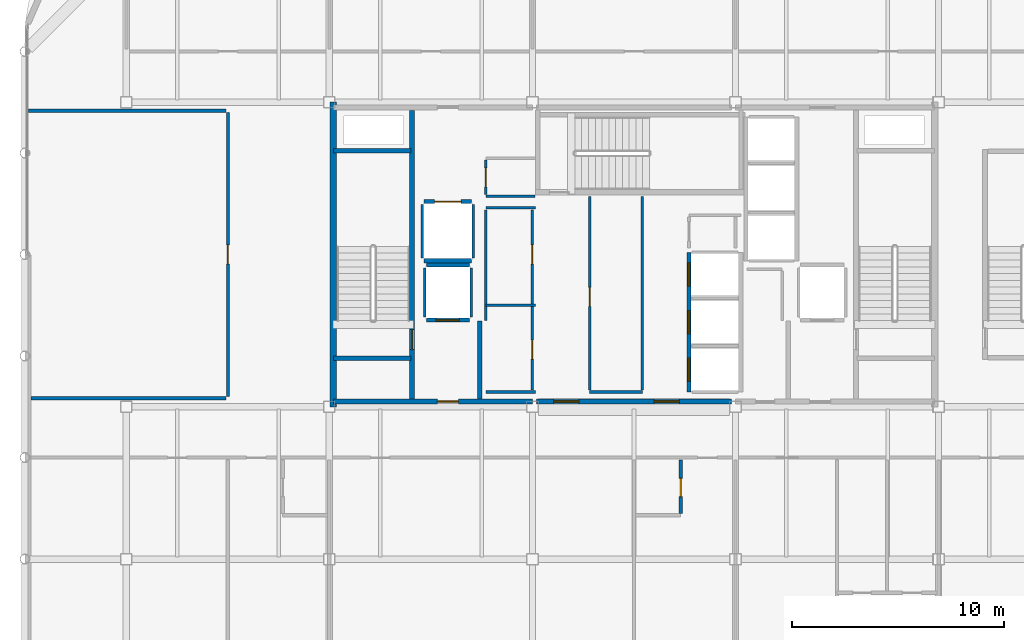
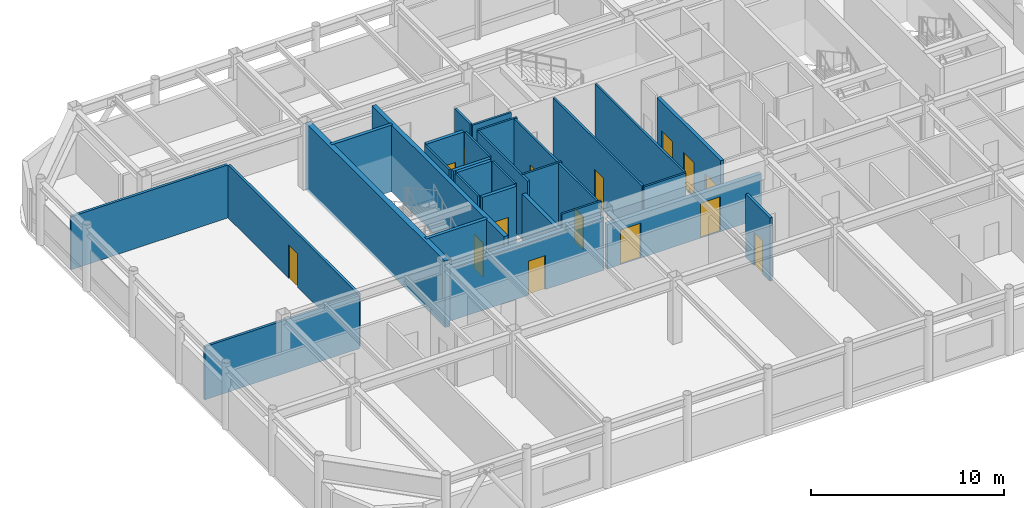
# One storey, part 17 of 21: 30 walls, 15 doors, 15 openings.
"""IFC4 building model written with IfcOpenShell, lengths in metres."""

from ifc_helpers import new_model, si_unit, direction, frame, frame_2d, origin, place, context, subcontext, project, spatial, rectangle, extrude, material, layer, layer_set, type_object, element, fill, save


model = new_model("IFC4")

# Units and contexts
model_context = context("Model", 3, precision=1e-05, world=origin(), true_north=direction((0.0, 1.0)))
body_context = subcontext(model_context, "Body", "Model", "MODEL_VIEW")
ifc_project = project(units=[si_unit("LENGTHUNIT", "METRE"), si_unit("AREAUNIT", "SQUARE_METRE"), si_unit("VOLUMEUNIT", "CUBIC_METRE"), si_unit("PLANEANGLEUNIT", "RADIAN"), si_unit("MASSUNIT", "GRAM", prefix="KILO")], contexts=[model_context])

# Site, building, storey
site_placement = place(None, origin())
site = spatial("IfcSite", under=ifc_project, at=site_placement, CompositionType="ELEMENT")
building_placement = place(site_placement, origin())
building = spatial("IfcBuilding", under=site, at=building_placement, Name="Kallvorn Hotel Tower", CompositionType="ELEMENT")
storey_placement = place(building_placement, frame((0.0, 0.0, 286.39990234375)))
storey = spatial("IfcBuildingStorey", under=building, at=storey_placement, Name="L71", CompositionType="ELEMENT", Elevation=286.39990234375)

# Wall
ifc_material_1 = material(Name="Concrete C50/60", Category="concrete")
ifc_layer_1 = layer(ifc_material_1, 0.300048828125)
ifc_layer_set_1 = layer_set([ifc_layer_1], Name="WL_CORE_300")
wall_type_1 = type_object("IfcWallType", Name="WL_CORE_300", PredefinedType="SHEAR", material=ifc_layer_set_1)
wall_1_placement = place(storey_placement, frame((-14.215087890625, -7.199951171875, -0.199951171875), z_axis=(0.0, 0.0, 1.0), x_axis=(0.0, 1.0, 0.0)))
element("IfcWall", 1, at=wall_1_placement, inside=storey, type_object=wall_type_1, Name="L71 Core West Shear Wall", PredefinedType="SHEAR", context=body_context, shape_type="SweptSolid", body=[
    extrude(rectangle(XDim=14.39990234375, YDim=0.300048828125, at=frame_2d((7.199951171875, 0.0))), origin(), (0.0, 0.0, 1.0), 4.199951171875),
])

# Wall, opening, door
ifc_material_2 = material(Name="Fire-rated double-layer acoustic gypsum drywall EI 60")
ifc_layer_2 = layer(ifc_material_2, 0.159912109375)
ifc_layer_set_2 = layer_set([ifc_layer_2], Name="WL_DEMISE_160")
wall_type_2 = type_object("IfcWallType", Name="WL_DEMISE_160", PredefinedType="PARTITIONING", material=ifc_layer_set_2)
wall_2_placement = place(storey_placement, frame((2.2099609375, -12.235107421875, 0.0), z_axis=(0.0, 0.0, 1.0), x_axis=(0.0, 1.0, 0.0)))
wall_2 = element("IfcWall", 2, at=wall_2_placement, inside=storey, type_object=wall_type_2, Name="L71 Suite 7102 Ambassador Twin Room Partition", PredefinedType="PARTITIONING", context=body_context, shape_type="SweptSolid", body=[
    extrude(rectangle(XDim=2.51513671875, YDim=0.159912109375, at=frame_2d((1.257568359375, 0.0))), origin(), (0.0, 0.0, 1.0), 4.0),
])
opening_1_placement = place(wall_2_placement, frame((0.784912109375, 0.0, 0.0)))
opening_1 = element("IfcOpeningElement", 3, at=opening_1_placement, cuts=wall_2, Name="Opening BD-I", PredefinedType="OPENING", context=body_context, shape_type="SweptSolid", body=[
    extrude(rectangle(XDim=0.860107421875, YDim=2.10009765625, at=frame_2d((0.43017578125, 1.050048828125))), frame((0.0, 0.094970703125, 0.0), z_axis=(0.0, -1.0, 0.0), x_axis=(1.0, 0.0, 0.0)), (0.0, 0.0, 1.0), 0.18994140625),
])
ifc_material_3 = material(Name="Solid-core walnut veneer fire-rated timber door leaf", Category="wood")
door_type_1 = type_object("IfcDoorType", Name="DR_BATH_860x2100", OperationType="NOTDEFINED", PredefinedType="DOOR", material=ifc_material_3)
door_1_placement = place(opening_1_placement, origin())
door_1 = element("IfcDoor", 4, at=door_1_placement, inside=storey, type_object=door_type_1, Name="L71 Suite 7102 En-Suite Bathroom Door", OperationType="SINGLE_SWING_RIGHT", OverallHeight=2.10009765625, OverallWidth=0.860107421875, PredefinedType="DOOR", context=body_context, shape_type="SweptSolid", body=[
    extrude(rectangle(XDim=0.860107421875, YDim=2.10009765625, at=frame_2d((0.43017578125, 1.050048828125))), frame((0.0, 0.02490234375, 0.0), z_axis=(0.0, -1.0, 0.0), x_axis=(1.0, 0.0, 0.0)), (0.0, 0.0, 1.0), 0.050048828125),
])
fill(opening_1, door_1)

# Walls
ifc_material_4 = material(Name="Concrete C40/50", Category="concrete")
ifc_layer_3 = layer(ifc_material_4, 0.219970703125)
ifc_layer_set_3 = layer_set([ifc_layer_3], Name="WL_FFL_220")
wall_type_3 = type_object("IfcWallType", Name="WL_FFL_220", PredefinedType="SOLIDWALL", material=ifc_layer_set_3)
wall_3_placement = place(storey_placement, frame((-7.300048828125, -6.820068359375, 0.0), z_axis=(0.0, 0.0, 1.0), x_axis=(0.0, 1.0, 0.0)))
element("IfcWall", 5, at=wall_3_placement, inside=storey, type_object=wall_type_3, Name="L71 Firefighting Lobby West Divider Wall", PredefinedType="SOLIDWALL", context=body_context, shape_type="SweptSolid", body=[
    extrude(rectangle(XDim=3.670166015625, YDim=0.219970703125, at=frame_2d((1.8349609375, 0.0))), origin(), (0.0, 0.0, 1.0), 3.35009765625),
])
ifc_material_5 = material(Name="Concrete C40/50", Category="concrete")
ifc_layer_4 = layer(ifc_material_5, 0.199951171875)
ifc_layer_set_4 = layer_set([ifc_layer_4], Name="WL_HOIST_200")
wall_type_4 = type_object("IfcWallType", Name="WL_HOIST_200", PredefinedType="SOLIDWALL", material=ifc_layer_set_4)
for number, where, z_axis, x_axis, name in (
    (6, (-14.199951171875, -4.89990234375, -0.199951171875), (0.0, 0.0, 1.0), (1.0, 0.0, 0.0), "L71 Stair ST1 South Wall"),
    (7, (-14.199951171875, 4.89990234375, -0.199951171875), (0.0, 0.0, 1.0), (1.0, 0.0, 0.0), "L71 Stair ST1 North Wall"),
):
    element("IfcWall", number, at=place(storey_placement, frame(where, z_axis=z_axis, x_axis=x_axis)), inside=storey, type_object=wall_type_4, Name=name, PredefinedType="SOLIDWALL", context=body_context, shape_type="SweptSolid", body=[
        extrude(rectangle(XDim=3.64990234375, YDim=0.199951171875, at=frame_2d((1.824951171875, 0.0))), origin(), (0.0, 0.0, 1.0), 4.199951171875),
    ])

# Wall, openings, doors
wall_4_placement = place(storey_placement, frame((2.60009765625, -6.5, 0.0), z_axis=(0.0, 0.0, 1.0), x_axis=(0.0, 1.0, 0.0)))
wall_4 = element("IfcWall", 8, at=wall_4_placement, inside=storey, type_object=wall_type_4, Name="L71 Lift Bank B3A Landing Wall", PredefinedType="SOLIDWALL", context=body_context, shape_type="SweptSolid", body=[
    extrude(rectangle(XDim=6.60009765625, YDim=0.199951171875, at=frame_2d((3.300048828125, 0.0))), origin(), (0.0, 0.0, 1.0), 4.0),
])
opening_2_placement = place(wall_4_placement, frame((0.5, 0.0, 0.0)))
opening_2 = element("IfcOpeningElement", 9, at=opening_2_placement, cuts=wall_4, Name="Opening LD-PL-09", PredefinedType="OPENING", context=body_context, shape_type="SweptSolid", body=[
    extrude(rectangle(XDim=1.10009765625, YDim=2.199951171875, at=frame_2d((0.550048828125, 1.10009765625))), frame((0.0, 0.114990234375, 0.0), z_axis=(0.0, -1.0, 0.0), x_axis=(1.0, 0.0, 0.0)), (0.0, 0.0, 1.0), 0.22998046875),
])
opening_3_placement = place(wall_4_placement, frame((2.75, 0.0, 0.0)))
opening_3 = element("IfcOpeningElement", 10, at=opening_3_placement, cuts=wall_4, Name="Opening LD-PL-10", PredefinedType="OPENING", context=body_context, shape_type="SweptSolid", body=[
    extrude(rectangle(XDim=1.10009765625, YDim=2.199951171875, at=frame_2d((0.550048828125, 1.10009765625))), frame((0.0, 0.114990234375, 0.0), z_axis=(0.0, -1.0, 0.0), x_axis=(1.0, 0.0, 0.0)), (0.0, 0.0, 1.0), 0.22998046875),
])
opening_4_placement = place(wall_4_placement, frame((5.0, 0.0, 0.0)))
opening_4 = element("IfcOpeningElement", 11, at=opening_4_placement, cuts=wall_4, Name="Opening LD-PL-11", PredefinedType="OPENING", context=body_context, shape_type="SweptSolid", body=[
    extrude(rectangle(XDim=1.10009765625, YDim=2.199951171875, at=frame_2d((0.550048828125, 1.10009765625))), frame((0.0, 0.114990234375, 0.0), z_axis=(0.0, -1.0, 0.0), x_axis=(1.0, 0.0, 0.0)), (0.0, 0.0, 1.0), 0.22998046875),
])
ifc_material_6 = material(Name="Brushed stainless-steel automatic sliding lift landing door", Category="steel")
door_type_2 = type_object("IfcDoorType", Name="LD_PASS_1100x2200", OperationType="SLIDING_TO_LEFT", PredefinedType="DOOR", material=ifc_material_6)
door_2_placement = place(opening_2_placement, origin())
door_2 = element("IfcDoor", 12, at=door_2_placement, inside=storey, type_object=door_type_2, Name="L71 Lift Landing Sliding Door LD-PL-09", OperationType="SLIDING_TO_LEFT", OverallHeight=2.199951171875, OverallWidth=1.10009765625, PredefinedType="DOOR", context=body_context, shape_type="SweptSolid", body=[
    extrude(rectangle(XDim=1.10009765625, YDim=2.199951171875, at=frame_2d((0.550048828125, 1.10009765625))), frame((0.0, 0.02490234375, 0.0), z_axis=(0.0, -1.0, 0.0), x_axis=(1.0, 0.0, 0.0)), (0.0, 0.0, 1.0), 0.050048828125),
])
fill(opening_2, door_2)
door_3_placement = place(opening_3_placement, origin())
door_3 = element("IfcDoor", 13, at=door_3_placement, inside=storey, type_object=door_type_2, Name="L71 Lift Landing Sliding Door LD-PL-10", OperationType="SLIDING_TO_LEFT", OverallHeight=2.199951171875, OverallWidth=1.10009765625, PredefinedType="DOOR", context=body_context, shape_type="SweptSolid", body=[
    extrude(rectangle(XDim=1.10009765625, YDim=2.199951171875, at=frame_2d((0.550048828125, 1.10009765625))), frame((0.0, 0.02490234375, 0.0), z_axis=(0.0, -1.0, 0.0), x_axis=(1.0, 0.0, 0.0)), (0.0, 0.0, 1.0), 0.050048828125),
])
fill(opening_3, door_3)
door_4_placement = place(opening_4_placement, origin())
door_4 = element("IfcDoor", 14, at=door_4_placement, inside=storey, type_object=door_type_2, Name="L71 Lift Landing Sliding Door LD-PL-11", OperationType="SLIDING_TO_LEFT", OverallHeight=2.199951171875, OverallWidth=1.10009765625, PredefinedType="DOOR", context=body_context, shape_type="SweptSolid", body=[
    extrude(rectangle(XDim=1.10009765625, YDim=2.199951171875, at=frame_2d((0.550048828125, 1.10009765625))), frame((0.0, 0.02490234375, 0.0), z_axis=(0.0, -1.0, 0.0), x_axis=(1.0, 0.0, 0.0)), (0.0, 0.0, 1.0), 0.050048828125),
])
fill(opening_4, door_4)

# Wall, opening, door
wall_5_placement = place(storey_placement, frame((-9.820068359375, -3.10009765625, 0.0), z_axis=(0.0, 0.0, 1.0), x_axis=(1.0, 0.0, 0.0)))
wall_5 = element("IfcWall", 15, at=wall_5_placement, inside=storey, type_object=wall_type_4, Name="L71 FL-1 Landing Wall", PredefinedType="SOLIDWALL", context=body_context, shape_type="SweptSolid", body=[
    extrude(rectangle(XDim=2.0400390625, YDim=0.199951171875, at=frame_2d((1.02001953125, 0.0))), origin(), (0.0, 0.0, 1.0), 4.0),
])
opening_5_placement = place(wall_5_placement, frame((0.469970703125, 0.0, 0.0)))
opening_5 = element("IfcOpeningElement", 16, at=opening_5_placement, cuts=wall_5, Name="Opening LD-FL-1", PredefinedType="OPENING", context=body_context, shape_type="SweptSolid", body=[
    extrude(rectangle(XDim=1.10009765625, YDim=2.199951171875, at=frame_2d((0.550048828125, 1.10009765625))), frame((0.0, 0.114990234375, 0.0), z_axis=(0.0, -1.0, 0.0), x_axis=(1.0, 0.0, 0.0)), (0.0, 0.0, 1.0), 0.22998046875),
])
door_5_placement = place(opening_5_placement, origin())
door_5 = element("IfcDoor", 17, at=door_5_placement, inside=storey, type_object=door_type_2, Name="L71 Lift Landing Sliding Door LD-FL-1", OperationType="SLIDING_TO_LEFT", OverallHeight=2.199951171875, OverallWidth=1.10009765625, PredefinedType="DOOR", context=body_context, shape_type="SweptSolid", body=[
    extrude(rectangle(XDim=1.10009765625, YDim=2.199951171875, at=frame_2d((0.550048828125, 1.10009765625))), frame((0.0, 0.02490234375, 0.0), z_axis=(0.0, -1.0, 0.0), x_axis=(1.0, 0.0, 0.0)), (0.0, 0.0, 1.0), 0.050048828125),
])
fill(opening_5, door_5)

# Wall
wall_6_placement = place(storey_placement, frame((-9.820068359375, -0.5, 0.0), z_axis=(0.0, 0.0, 1.0), x_axis=(1.0, 0.0, 0.0)))
element("IfcWall", 18, at=wall_6_placement, inside=storey, type_object=wall_type_4, Name="L71 FL-1 Rear Shaft Wall", PredefinedType="SOLIDWALL", context=body_context, shape_type="SweptSolid", body=[
    extrude(rectangle(XDim=2.0400390625, YDim=0.199951171875, at=frame_2d((1.02001953125, 0.0))), origin(), (0.0, 0.0, 1.0), 4.0),
])

# Wall, opening, door
wall_7_placement = place(storey_placement, frame((-9.919921875, 2.5, 0.0), z_axis=(0.0, 0.0, 1.0), x_axis=(1.0, 0.0, 0.0)))
wall_7 = element("IfcWall", 19, at=wall_7_placement, inside=storey, type_object=wall_type_4, Name="L71 SV-01 Landing Wall", PredefinedType="SOLIDWALL", context=body_context, shape_type="SweptSolid", body=[
    extrude(rectangle(XDim=2.239990234375, YDim=0.199951171875, at=frame_2d((1.1201171875, 0.0))), origin(), (0.0, 0.0, 1.0), 4.0),
])
opening_6_placement = place(wall_7_placement, frame((0.4951171875, 0.0, 0.0)))
opening_6 = element("IfcOpeningElement", 20, at=opening_6_placement, cuts=wall_7, Name="Opening LD-SV-01", PredefinedType="OPENING", context=body_context, shape_type="SweptSolid", body=[
    extrude(rectangle(XDim=1.25, YDim=2.25, at=frame_2d((0.625, 1.125))), frame((0.0, 0.114990234375, 0.0), z_axis=(0.0, -1.0, 0.0), x_axis=(1.0, 0.0, 0.0)), (0.0, 0.0, 1.0), 0.22998046875),
])
ifc_material_7 = material(Name="Brushed stainless-steel automatic sliding lift landing door", Category="steel")
door_type_3 = type_object("IfcDoorType", Name="LD_SERV_1250x2250", OperationType="SLIDING_TO_LEFT", PredefinedType="DOOR", material=ifc_material_7)
door_6_placement = place(opening_6_placement, origin())
door_6 = element("IfcDoor", 21, at=door_6_placement, inside=storey, type_object=door_type_3, Name="L71 Lift Landing Sliding Door LD-SV-01", OperationType="SLIDING_TO_LEFT", OverallHeight=2.25, OverallWidth=1.25, PredefinedType="DOOR", context=body_context, shape_type="SweptSolid", body=[
    extrude(rectangle(XDim=1.25, YDim=2.25, at=frame_2d((0.625, 1.125))), frame((0.0, 0.02490234375, 0.0), z_axis=(0.0, -1.0, 0.0), x_axis=(1.0, 0.0, 0.0)), (0.0, 0.0, 1.0), 0.050048828125),
])
fill(opening_6, door_6)

# Walls
wall_8_placement = place(storey_placement, frame((-9.919921875, -0.300048828125, 0.0), z_axis=(0.0, 0.0, 1.0), x_axis=(1.0, 0.0, 0.0)))
element("IfcWall", 22, at=wall_8_placement, inside=storey, type_object=wall_type_4, Name="L71 SV-01 Rear Shaft Wall", PredefinedType="SOLIDWALL", context=body_context, shape_type="SweptSolid", body=[
    extrude(rectangle(XDim=2.239990234375, YDim=0.199951171875, at=frame_2d((1.1201171875, 0.0))), origin(), (0.0, 0.0, 1.0), 4.0),
])
ifc_material_8 = material(Name="Fire-rated double-layer acoustic gypsum drywall EI 60")
ifc_layer_5 = layer(ifc_material_8, 0.1201171875)
ifc_layer_set_5 = layer_set([ifc_layer_5], Name="WL_INT_120")
wall_type_5 = type_object("IfcWallType", Name="WL_INT_120", PredefinedType="PARTITIONING", material=ifc_layer_set_5)
for number, where, z_axis, x_axis, name in (
    (23, (-9.89990234375, -2.9599609375, 0.0), (0.0, 0.0, 1.0), (0.0, 1.0, 0.0), "L71 FL-1 West Shaft Wall"),
    (24, (-7.699951171875, -2.9599609375, 0.0), (0.0, 0.0, 1.0), (0.0, 1.0, 0.0), "L71 FL-1 East Shaft Wall"),
):
    element("IfcWall", number, at=place(storey_placement, frame(where, z_axis=z_axis, x_axis=x_axis)), inside=storey, type_object=wall_type_5, Name=name, PredefinedType="PARTITIONING", context=body_context, shape_type="SweptSolid", body=[
        extrude(rectangle(XDim=2.320068359375, YDim=0.1201171875, at=frame_2d((1.16015625, 0.0))), origin(), (0.0, 0.0, 1.0), 4.0),
    ])
for number, where, z_axis, x_axis, name in (
    (25, (-10.0, -0.159912109375, 0.0), (0.0, 0.0, 1.0), (0.0, 1.0, 0.0), "L71 SV-01 West Shaft Wall"),
    (26, (-7.60009765625, -0.159912109375, 0.0), (0.0, 0.0, 1.0), (0.0, 1.0, 0.0), "L71 SV-01 East Shaft Wall"),
):
    element("IfcWall", number, at=place(storey_placement, frame(where, z_axis=z_axis, x_axis=x_axis)), inside=storey, type_object=wall_type_5, Name=name, PredefinedType="PARTITIONING", context=body_context, shape_type="SweptSolid", body=[
        extrude(rectangle(XDim=2.52001953125, YDim=0.1201171875, at=frame_2d((1.260009765625, 0.0))), origin(), (0.0, 0.0, 1.0), 4.0),
    ])
wall_9_placement = place(storey_placement, frame((-7.0, -6.5, 0.0), z_axis=(0.0, 0.0, 1.0), x_axis=(1.0, 0.0, 0.0)))
element("IfcWall", 27, at=wall_9_placement, inside=storey, type_object=wall_type_5, Name="L71 Recaptured South Minibar Pantry Partition", PredefinedType="PARTITIONING", context=body_context, shape_type="SweptSolid", body=[
    extrude(rectangle(XDim=2.35009765625, YDim=0.1201171875, at=frame_2d((1.175048828125, 0.0))), origin(), (0.0, 0.0, 1.0), 4.0),
])
wall_10_placement = place(storey_placement, frame((-2.10009765625, -6.5, 0.0), z_axis=(0.0, 0.0, 1.0), x_axis=(1.0, 0.0, 0.0)))
element("IfcWall", 28, at=wall_10_placement, inside=storey, type_object=wall_type_5, Name="L71 Altitude Executive Pantry and Ice Room Partition", PredefinedType="PARTITIONING", context=body_context, shape_type="SweptSolid", body=[
    extrude(rectangle(XDim=2.5, YDim=0.1201171875, at=frame_2d((1.25, 0.0))), origin(), (0.0, 0.0, 1.0), 4.0),
])
for number, where, z_axis, x_axis, name in (
    (29, (-7.0, -2.39990234375, 0.0), (0.0, 0.0, 1.0), (1.0, 0.0, 0.0), "L71 Recaptured Central Linen Store Partition"),
    (30, (-7.0, 2.199951171875, 0.0), (0.0, 0.0, 1.0), (1.0, 0.0, 0.0), "L71 Recaptured Central Linen Store Partition"),
):
    element("IfcWall", number, at=place(storey_placement, frame(where, z_axis=z_axis, x_axis=x_axis)), inside=storey, type_object=wall_type_5, Name=name, PredefinedType="PARTITIONING", context=body_context, shape_type="SweptSolid", body=[
        extrude(rectangle(XDim=2.35009765625, YDim=0.1201171875, at=frame_2d((1.175048828125, 0.0))), origin(), (0.0, 0.0, 1.0), 4.0),
    ])
wall_11_placement = place(storey_placement, frame((-7.0, 2.75, 0.0), z_axis=(0.0, 0.0, 1.0), x_axis=(1.0, 0.0, 0.0)))
element("IfcWall", 31, at=wall_11_placement, inside=storey, type_object=wall_type_5, Name="L71 Recaptured North Valet Closet Partition", PredefinedType="PARTITIONING", context=body_context, shape_type="SweptSolid", body=[
    extrude(rectangle(XDim=2.31005859375, YDim=0.1201171875, at=frame_2d((1.155029296875, 0.0))), origin(), (0.0, 0.0, 1.0), 4.0),
])
wall_12_placement = place(storey_placement, frame((-7.0, -3.110107421875, 0.0), z_axis=(0.0, 0.0, 1.0), x_axis=(0.0, 1.0, 0.0)))
element("IfcWall", 32, at=wall_12_placement, inside=storey, type_object=wall_type_5, Name="L71 Recaptured South Minibar Pantry Partition", PredefinedType="PARTITIONING", context=body_context, shape_type="SweptSolid", body=[
    extrude(rectangle(XDim=5.22509765625, YDim=0.1201171875, at=frame_2d((2.612548828125, 0.0))), origin(), (0.0, 0.0, 1.0), 4.0),
])

# Wall, opening, door
wall_13_placement = place(storey_placement, frame((-7.0, 2.8349609375, 0.0), z_axis=(0.0, 0.0, 1.0), x_axis=(0.0, 1.0, 0.0)))
wall_13 = element("IfcWall", 33, at=wall_13_placement, inside=storey, type_object=wall_type_5, Name="L71 Recaptured North Valet Closet Partition", PredefinedType="PARTITIONING", context=body_context, shape_type="SweptSolid", body=[
    extrude(rectangle(XDim=1.630126953125, YDim=0.1201171875, at=frame_2d((0.81494140625, 0.0))), origin(), (0.0, 0.0, 1.0), 4.0),
])
opening_7_placement = place(wall_13_placement, frame((0.364990234375, 0.0, 0.0)))
opening_7 = element("IfcOpeningElement", 34, at=opening_7_placement, cuts=wall_13, Name="Opening SVD1", PredefinedType="OPENING", context=body_context, shape_type="SweptSolid", body=[
    extrude(rectangle(XDim=0.89990234375, YDim=2.10009765625, at=frame_2d((0.449951171875, 1.050048828125))), frame((0.0, 0.074951171875, 0.0), z_axis=(0.0, -1.0, 0.0), x_axis=(1.0, 0.0, 0.0)), (0.0, 0.0, 1.0), 0.150146484375),
])
ifc_material_9 = material(Name="Galvanised painted steel fire-rated door assembly", Category="steel")
door_type_4 = type_object("IfcDoorType", Name="DR_SERV_900x2100", OperationType="NOTDEFINED", PredefinedType="DOOR", material=ifc_material_9)
door_7_placement = place(opening_7_placement, origin())
door_7 = element("IfcDoor", 35, at=door_7_placement, inside=storey, type_object=door_type_4, Name="L71 Recaptured North Valet Closet Door", OperationType="SINGLE_SWING_LEFT", OverallHeight=2.10009765625, OverallWidth=0.89990234375, PredefinedType="DOOR", context=body_context, shape_type="SweptSolid", body=[
    extrude(rectangle(XDim=0.89990234375, YDim=2.10009765625, at=frame_2d((0.449951171875, 1.050048828125))), frame((0.0, 0.02490234375, 0.0), z_axis=(0.0, -1.0, 0.0), x_axis=(1.0, 0.0, 0.0)), (0.0, 0.0, 1.0), 0.050048828125),
])
fill(opening_7, door_7)

# Wall, openings, doors
wall_14_placement = place(storey_placement, frame((-4.800048828125, -6.4150390625, 0.0), z_axis=(0.0, 0.0, 1.0), x_axis=(0.0, 1.0, 0.0)))
wall_14 = element("IfcWall", 36, at=wall_14_placement, inside=storey, type_object=wall_type_5, Name="L71 Recaptured South Minibar Pantry Partition", PredefinedType="PARTITIONING", context=body_context, shape_type="SweptSolid", body=[
    extrude(rectangle(XDim=8.530029296875, YDim=0.1201171875, at=frame_2d((4.26513671875, 0.0))), origin(), (0.0, 0.0, 1.0), 4.0),
])
opening_8_placement = place(wall_14_placement, frame((1.465087890625, 0.0, 0.0)))
opening_8 = element("IfcOpeningElement", 37, at=opening_8_placement, cuts=wall_14, Name="Opening SVD1", PredefinedType="OPENING", context=body_context, shape_type="SweptSolid", body=[
    extrude(rectangle(XDim=0.89990234375, YDim=2.10009765625, at=frame_2d((0.449951171875, 1.050048828125))), frame((0.0, 0.074951171875, 0.0), z_axis=(0.0, -1.0, 0.0), x_axis=(1.0, 0.0, 0.0)), (0.0, 0.0, 1.0), 0.150146484375),
])
opening_9_placement = place(wall_14_placement, frame((5.965087890625, 0.0, 0.0)))
opening_9 = element("IfcOpeningElement", 38, at=opening_9_placement, cuts=wall_14, Name="Opening SVD1", PredefinedType="OPENING", context=body_context, shape_type="SweptSolid", body=[
    extrude(rectangle(XDim=0.89990234375, YDim=2.10009765625, at=frame_2d((0.449951171875, 1.050048828125))), frame((0.0, 0.074951171875, 0.0), z_axis=(0.0, -1.0, 0.0), x_axis=(1.0, 0.0, 0.0)), (0.0, 0.0, 1.0), 0.150146484375),
])
door_8_placement = place(opening_8_placement, origin())
door_8 = element("IfcDoor", 39, at=door_8_placement, inside=storey, type_object=door_type_4, Name="L71 Recaptured South Minibar Pantry Door", OperationType="SINGLE_SWING_LEFT", OverallHeight=2.10009765625, OverallWidth=0.89990234375, PredefinedType="DOOR", context=body_context, shape_type="SweptSolid", body=[
    extrude(rectangle(XDim=0.89990234375, YDim=2.10009765625, at=frame_2d((0.449951171875, 1.050048828125))), frame((0.0, 0.02490234375, 0.0), z_axis=(0.0, -1.0, 0.0), x_axis=(1.0, 0.0, 0.0)), (0.0, 0.0, 1.0), 0.050048828125),
])
fill(opening_8, door_8)
door_9_placement = place(opening_9_placement, origin())
door_9 = element("IfcDoor", 40, at=door_9_placement, inside=storey, type_object=door_type_4, Name="L71 Recaptured Central Linen Store Door", OperationType="SINGLE_SWING_RIGHT", OverallHeight=2.10009765625, OverallWidth=0.89990234375, PredefinedType="DOOR", context=body_context, shape_type="SweptSolid", body=[
    extrude(rectangle(XDim=0.89990234375, YDim=2.10009765625, at=frame_2d((0.449951171875, 1.050048828125))), frame((0.0, 0.02490234375, 0.0), z_axis=(0.0, -1.0, 0.0), x_axis=(1.0, 0.0, 0.0)), (0.0, 0.0, 1.0), 0.050048828125),
])
fill(opening_9, door_9)

# Wall, opening, door
wall_15_placement = place(storey_placement, frame((-2.10009765625, -6.4150390625, 0.0), z_axis=(0.0, 0.0, 1.0), x_axis=(0.0, 1.0, 0.0)))
wall_15 = element("IfcWall", 41, at=wall_15_placement, inside=storey, type_object=wall_type_5, Name="L71 Altitude Executive Pantry and Ice Room Partition", PredefinedType="PARTITIONING", context=body_context, shape_type="SweptSolid", body=[
    extrude(rectangle(XDim=9.1650390625, YDim=0.1201171875, at=frame_2d((4.58251953125, 0.0))), origin(), (0.0, 0.0, 1.0), 4.0),
])
opening_10_placement = place(wall_15_placement, frame((3.965087890625, 0.0, 0.0)))
opening_10 = element("IfcOpeningElement", 42, at=opening_10_placement, cuts=wall_15, Name="Opening SVD1", PredefinedType="OPENING", context=body_context, shape_type="SweptSolid", body=[
    extrude(rectangle(XDim=0.89990234375, YDim=2.10009765625, at=frame_2d((0.449951171875, 1.050048828125))), frame((0.0, 0.074951171875, 0.0), z_axis=(0.0, -1.0, 0.0), x_axis=(1.0, 0.0, 0.0)), (0.0, 0.0, 1.0), 0.150146484375),
])
door_10_placement = place(opening_10_placement, origin())
door_10 = element("IfcDoor", 43, at=door_10_placement, inside=storey, type_object=door_type_4, Name="L71 Altitude Executive Pantry and Ice Room Door", OperationType="SINGLE_SWING_RIGHT", OverallHeight=2.10009765625, OverallWidth=0.89990234375, PredefinedType="DOOR", context=body_context, shape_type="SweptSolid", body=[
    extrude(rectangle(XDim=0.89990234375, YDim=2.10009765625, at=frame_2d((0.449951171875, 1.050048828125))), frame((0.0, 0.02490234375, 0.0), z_axis=(0.0, -1.0, 0.0), x_axis=(1.0, 0.0, 0.0)), (0.0, 0.0, 1.0), 0.050048828125),
])
fill(opening_10, door_10)

# Walls
wall_16_placement = place(storey_placement, frame((0.39990234375, -6.4150390625, 0.0), z_axis=(0.0, 0.0, 1.0), x_axis=(0.0, 1.0, 0.0)))
element("IfcWall", 44, at=wall_16_placement, inside=storey, type_object=wall_type_5, Name="L71 Altitude Executive Pantry and Ice Room Partition", PredefinedType="PARTITIONING", context=body_context, shape_type="SweptSolid", body=[
    extrude(rectangle(XDim=9.1650390625, YDim=0.1201171875, at=frame_2d((4.58251953125, 0.0))), origin(), (0.0, 0.0, 1.0), 4.0),
])
ifc_material_10 = material(Name="Fire-rated double-layer acoustic gypsum drywall EI 60")
ifc_layer_6 = layer(ifc_material_10, 0.14990234375)
ifc_layer_set_6 = layer_set([ifc_layer_6], Name="WL_PART_150")
wall_type_6 = type_object("IfcWallType", Name="WL_PART_150", PredefinedType="PARTITIONING", material=ifc_layer_set_6)
wall_17_placement = place(storey_placement, frame((-28.510009765625, -6.800048828125, 0.0), z_axis=(0.0, 0.0, 1.0), x_axis=(1.0, 0.0, 0.0)))
element("IfcWall", 45, at=wall_17_placement, inside=storey, type_object=wall_type_6, Name="L71 West Private Hydrotherapy Spa Salon Partition", PredefinedType="PARTITIONING", context=body_context, shape_type="SweptSolid", body=[
    extrude(rectangle(XDim=9.22998046875, YDim=0.14990234375, at=frame_2d((4.614990234375, 0.0))), origin(), (0.0, 0.0, 1.0), 3.35009765625),
])
wall_18_placement = place(storey_placement, frame((-28.6298828125, 6.800048828125, 0.0), z_axis=(0.0, 0.0, 1.0), x_axis=(1.0, 0.0, 0.0)))
element("IfcWall", 46, at=wall_18_placement, inside=storey, type_object=wall_type_6, Name="L71 West Private Hydrotherapy Spa Salon Partition", PredefinedType="PARTITIONING", context=body_context, shape_type="SweptSolid", body=[
    extrude(rectangle(XDim=9.349853515625, YDim=0.14990234375, at=frame_2d((4.6748046875, 0.0))), origin(), (0.0, 0.0, 1.0), 3.35009765625),
])

# Wall, opening, door
wall_19_placement = place(storey_placement, frame((-19.199951171875, -6.715087890625, 0.0), z_axis=(0.0, 0.0, 1.0), x_axis=(0.0, 1.0, 0.0)))
wall_19 = element("IfcWall", 47, at=wall_19_placement, inside=storey, type_object=wall_type_6, Name="L71 West Private Hydrotherapy Spa Salon Partition", PredefinedType="PARTITIONING", context=body_context, shape_type="SweptSolid", body=[
    extrude(rectangle(XDim=13.43017578125, YDim=0.14990234375, at=frame_2d((6.715087890625, 0.0))), origin(), (0.0, 0.0, 1.0), 3.35009765625),
])
opening_11_placement = place(wall_19_placement, frame((6.264892578125, 0.0, 0.0)))
opening_11 = element("IfcOpeningElement", 48, at=opening_11_placement, cuts=wall_19, Name="Opening SVD1", PredefinedType="OPENING", context=body_context, shape_type="SweptSolid", body=[
    extrude(rectangle(XDim=0.89990234375, YDim=2.10009765625, at=frame_2d((0.449951171875, 1.050048828125))), frame((0.0, 0.08984375, 0.0), z_axis=(0.0, -1.0, 0.0), x_axis=(1.0, 0.0, 0.0)), (0.0, 0.0, 1.0), 0.179931640625),
])
door_11_placement = place(opening_11_placement, origin())
door_11 = element("IfcDoor", 49, at=door_11_placement, inside=storey, type_object=door_type_4, Name="L71 West Private Hydrotherapy Spa Salon Door", OperationType="SINGLE_SWING_RIGHT", OverallHeight=2.10009765625, OverallWidth=0.89990234375, PredefinedType="DOOR", context=body_context, shape_type="SweptSolid", body=[
    extrude(rectangle(XDim=0.89990234375, YDim=2.10009765625, at=frame_2d((0.449951171875, 1.050048828125))), frame((0.0, 0.02490234375, 0.0), z_axis=(0.0, -1.0, 0.0), x_axis=(1.0, 0.0, 0.0)), (0.0, 0.0, 1.0), 0.050048828125),
])
fill(opening_11, door_11)

ifc_material_11 = material(Name="Concrete C40/50", Category="concrete")
ifc_layer_7 = layer(ifc_material_11, 0.25)
ifc_layer_set_7 = layer_set([ifc_layer_7], Name="WL_SHAFT_250")
wall_type_7 = type_object("IfcWallType", Name="WL_SHAFT_250", PredefinedType="SOLIDWALL", material=ifc_layer_set_7)
wall_20_placement = place(storey_placement, frame((-14.199951171875, -6.949951171875, 0.0), z_axis=(0.0, 0.0, 1.0), x_axis=(1.0, 0.0, 0.0)))
wall_20 = element("IfcWall", 50, at=wall_20_placement, inside=storey, type_object=wall_type_7, Name="L71 Core South-West Wall", PredefinedType="SOLIDWALL", context=body_context, shape_type="SweptSolid", body=[
    extrude(rectangle(XDim=9.39990234375, YDim=0.25, at=frame_2d((4.699951171875, 0.0))), origin(), (0.0, 0.0, 1.0), 3.35009765625),
])
opening_12_placement = place(wall_20_placement, frame((4.89990234375, 0.0, 0.0)))
opening_12 = element("IfcOpeningElement", 51, at=opening_12_placement, cuts=wall_20, Name="Opening FD1", PredefinedType="OPENING", context=body_context, shape_type="SweptSolid", body=[
    extrude(rectangle(XDim=1.0, YDim=2.14990234375, at=frame_2d((0.5, 1.074951171875))), frame((0.0, 0.139892578125, 0.0), z_axis=(0.0, -1.0, 0.0), x_axis=(1.0, 0.0, 0.0)), (0.0, 0.0, 1.0), 0.280029296875),
])
ifc_material_12 = material(Name="Galvanised painted steel fire-rated door assembly", Category="steel")
door_type_5 = type_object("IfcDoorType", Name="DR_FFL_1000x2150", OperationType="NOTDEFINED", PredefinedType="DOOR", material=ifc_material_12)
door_12_placement = place(opening_12_placement, origin())
door_12 = element("IfcDoor", 52, at=door_12_placement, inside=storey, type_object=door_type_5, Name="L71 Firefighting Lobby West Door", OperationType="SINGLE_SWING_RIGHT", OverallHeight=2.14990234375, OverallWidth=1.0, PredefinedType="DOOR", context=body_context, shape_type="SweptSolid", body=[
    extrude(rectangle(XDim=1.0, YDim=2.14990234375, at=frame_2d((0.5, 1.074951171875))), frame((0.0, 0.02490234375, 0.0), z_axis=(0.0, -1.0, 0.0), x_axis=(1.0, 0.0, 0.0)), (0.0, 0.0, 1.0), 0.050048828125),
])
fill(opening_12, door_12)

# Wall, openings, doors
wall_21_placement = place(storey_placement, frame((-4.60009765625, -6.949951171875, 0.0), z_axis=(0.0, 0.0, 1.0), x_axis=(1.0, 0.0, 0.0)))
wall_21 = element("IfcWall", 53, at=wall_21_placement, inside=storey, type_object=wall_type_7, Name="L71 Core South-Central Wall", PredefinedType="SOLIDWALL", context=body_context, shape_type="SweptSolid", body=[
    extrude(rectangle(XDim=9.2001953125, YDim=0.25, at=frame_2d((4.60009765625, 0.0))), origin(), (0.0, 0.0, 1.0), 2.800048828125),
])
opening_13_placement = place(wall_21_placement, frame((0.800048828125, 0.0, 0.0)))
opening_13 = element("IfcOpeningElement", 54, at=opening_13_placement, cuts=wall_21, Name="Opening FD2", PredefinedType="OPENING", context=body_context, shape_type="SweptSolid", body=[
    extrude(rectangle(XDim=1.199951171875, YDim=2.199951171875, at=frame_2d((0.60009765625, 1.10009765625))), frame((0.0, 0.139892578125, 0.0), z_axis=(0.0, -1.0, 0.0), x_axis=(1.0, 0.0, 0.0)), (0.0, 0.0, 1.0), 0.280029296875),
])
opening_14_placement = place(wall_21_placement, frame((5.550048828125, 0.0, 0.0)))
opening_14 = element("IfcOpeningElement", 55, at=opening_14_placement, cuts=wall_21, Name="Opening FD2", PredefinedType="OPENING", context=body_context, shape_type="SweptSolid", body=[
    extrude(rectangle(XDim=1.199951171875, YDim=2.199951171875, at=frame_2d((0.60009765625, 1.10009765625))), frame((0.0, 0.139892578125, 0.0), z_axis=(0.0, -1.0, 0.0), x_axis=(1.0, 0.0, 0.0)), (0.0, 0.0, 1.0), 0.280029296875),
])
ifc_material_13 = material(Name="Galvanised painted steel fire-rated door assembly", Category="steel")
door_type_6 = type_object("IfcDoorType", Name="DR_LOBBY_1200x2200", OperationType="DOUBLE_DOOR_SINGLE_SWING", PredefinedType="DOOR", material=ifc_material_13)
door_13_placement = place(opening_13_placement, origin())
door_13 = element("IfcDoor", 56, at=door_13_placement, inside=storey, type_object=door_type_6, Name="L71 West Passenger Lift Lobby Door", OperationType="DOUBLE_DOOR_SINGLE_SWING", OverallHeight=2.199951171875, OverallWidth=1.199951171875, PredefinedType="DOOR", context=body_context, shape_type="SweptSolid", body=[
    extrude(rectangle(XDim=1.199951171875, YDim=2.199951171875, at=frame_2d((0.60009765625, 1.10009765625))), frame((0.0, 0.02490234375, 0.0), z_axis=(0.0, -1.0, 0.0), x_axis=(1.0, 0.0, 0.0)), (0.0, 0.0, 1.0), 0.050048828125),
])
fill(opening_13, door_13)
door_14_placement = place(opening_14_placement, origin())
door_14 = element("IfcDoor", 57, at=door_14_placement, inside=storey, type_object=door_type_6, Name="L71 East Passenger Lift Lobby Door", OperationType="DOUBLE_DOOR_SINGLE_SWING", OverallHeight=2.199951171875, OverallWidth=1.199951171875, PredefinedType="DOOR", context=body_context, shape_type="SweptSolid", body=[
    extrude(rectangle(XDim=1.199951171875, YDim=2.199951171875, at=frame_2d((0.60009765625, 1.10009765625))), frame((0.0, 0.02490234375, 0.0), z_axis=(0.0, -1.0, 0.0), x_axis=(1.0, 0.0, 0.0)), (0.0, 0.0, 1.0), 0.050048828125),
])
fill(opening_14, door_14)

# Wall, opening, door
wall_22_placement = place(storey_placement, frame((-10.5, -6.820068359375, -0.199951171875), z_axis=(0.0, 0.0, 1.0), x_axis=(0.0, 1.0, 0.0)))
wall_22 = element("IfcWall", 58, at=wall_22_placement, inside=storey, type_object=wall_type_7, Name="L71 Stair ST1 Shaft Wall", PredefinedType="SOLIDWALL", context=body_context, shape_type="SweptSolid", body=[
    extrude(rectangle(XDim=13.64013671875, YDim=0.25, at=frame_2d((6.820068359375, 0.0))), origin(), (0.0, 0.0, 1.0), 4.199951171875),
])
opening_15_placement = place(wall_22_placement, frame((2.320068359375, 0.0, 0.199951171875)))
opening_15 = element("IfcOpeningElement", 59, at=opening_15_placement, cuts=wall_22, Name="Opening SD1", PredefinedType="OPENING", context=body_context, shape_type="SweptSolid", body=[
    extrude(rectangle(XDim=0.949951171875, YDim=2.14990234375, at=frame_2d((0.47509765625, 1.074951171875))), frame((0.0, 0.139892578125, 0.0), z_axis=(0.0, -1.0, 0.0), x_axis=(1.0, 0.0, 0.0)), (0.0, 0.0, 1.0), 0.280029296875),
])
ifc_material_14 = material(Name="Galvanised painted steel fire-rated door assembly", Category="steel")
door_type_7 = type_object("IfcDoorType", Name="DR_STAIR_950x2150", OperationType="NOTDEFINED", PredefinedType="DOOR", material=ifc_material_14)
door_15_placement = place(opening_15_placement, origin())
door_15 = element("IfcDoor", 60, at=door_15_placement, inside=storey, type_object=door_type_7, Name="L71 Exit Stair ST1 Fire Door", OperationType="SINGLE_SWING_RIGHT", OverallHeight=2.14990234375, OverallWidth=0.949951171875, PredefinedType="DOOR", context=body_context, shape_type="SweptSolid", body=[
    extrude(rectangle(XDim=0.949951171875, YDim=2.14990234375, at=frame_2d((0.47509765625, 1.074951171875))), frame((0.0, 0.02490234375, 0.0), z_axis=(0.0, -1.0, 0.0), x_axis=(1.0, 0.0, 0.0)), (0.0, 0.0, 1.0), 0.050048828125),
])
fill(opening_15, door_15)

save(model, "model.ifc")
